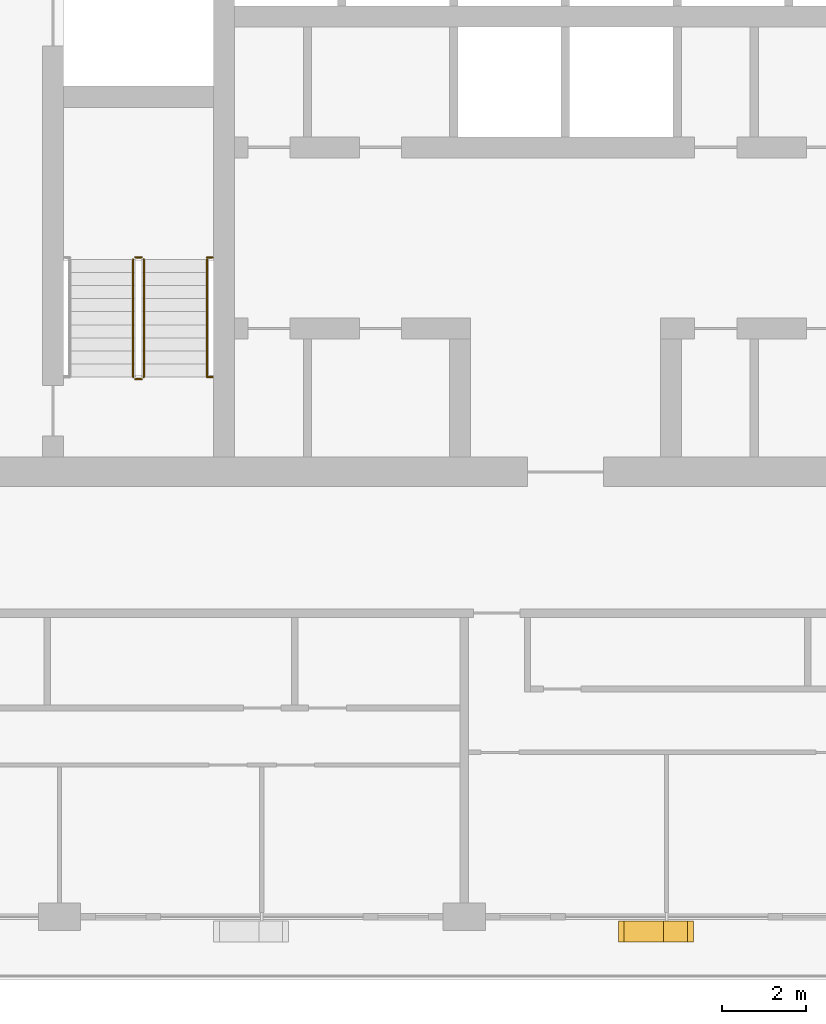
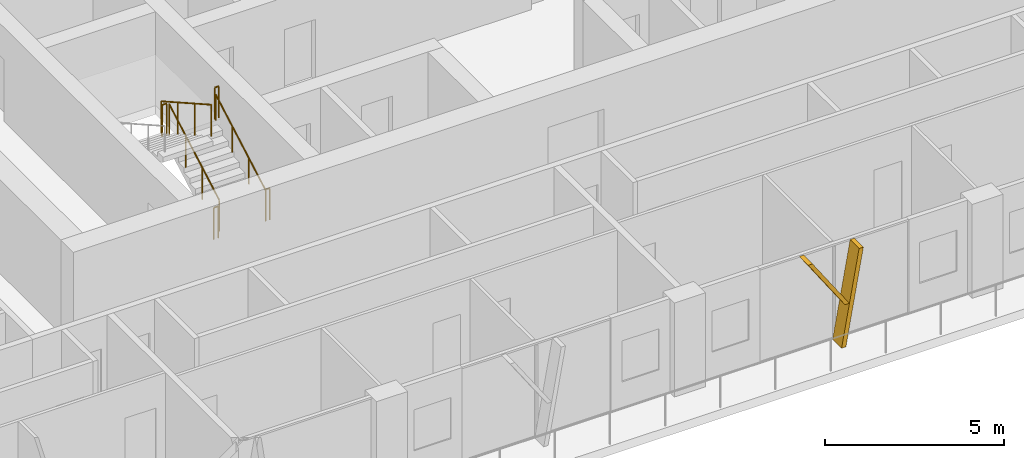
# One storey, part 18 of 23: 7 railings, 2 shading devices.
"""IFC4 building model written with IfcOpenShell, lengths in metres."""

from ifc_helpers import new_model, si_unit, direction, frame, origin, origin_2d, place, context, subcontext, project, spatial, polyline, circle, outline, extrude, material, type_object, element, save


model = new_model("IFC4")

# Units and contexts
model_context = context("Model", 3, precision=1e-05, world=origin(), true_north=direction((0.0, 1.0)))
body_context = subcontext(model_context, "Body", "Model", "MODEL_VIEW")
ifc_project = project(units=[si_unit("LENGTHUNIT", "METRE"), si_unit("AREAUNIT", "SQUARE_METRE"), si_unit("VOLUMEUNIT", "CUBIC_METRE"), si_unit("PLANEANGLEUNIT", "RADIAN"), si_unit("MASSUNIT", "GRAM", prefix="KILO")], contexts=[model_context])

# Site, building, storey
site_placement = place(None, origin())
site = spatial("IfcSite", under=ifc_project, at=site_placement, CompositionType="ELEMENT")
building_placement = place(site_placement, origin())
building = spatial("IfcBuilding", under=site, at=building_placement, Name="Madar Terraces", CompositionType="ELEMENT")
storey_placement = place(building_placement, frame((0.0, 0.0, 222.800048828125)))
storey = spatial("IfcBuildingStorey", under=building, at=storey_placement, Name="L58", CompositionType="ELEMENT", Elevation=222.800048828125)

# Shading devices
ifc_material_1 = material(Name="Aluminium, black anodised", Category="aluminium")
shading_device_type = type_object("IfcShadingDeviceType", Name="Facade fin blade 140 x 500", PredefinedType="USERDEFINED", material=ifc_material_1)
shading_device_1_placement = place(storey_placement, frame((33.530029296875, 4.449951171875, 0.0), z_axis=(0.0, 0.0, 1.0), x_axis=(1.0, 0.0, 0.0)))
element("IfcShadingDevice", 1, at=shading_device_1_placement, inside=storey, type_object=shading_device_type, Name="FIN L58 S3", ObjectType="FIN", PredefinedType="USERDEFINED", context=body_context, shape_type="SweptSolid", body=[
    extrude(outline(polyline([(0.0, 0.0), (0.139892578125, 0.0), (0.704345703125, 3.199951171875), (0.564208984375, 3.199951171875), (0.0, 0.0)])), frame((0.0, 0.25, 0.0), z_axis=(0.0, -1.0, 0.0), x_axis=(1.0, 0.0, 0.0)), (0.0, 0.0, 1.0), 0.5),
])
shading_device_2_placement = place(storey_placement, frame((33.643798828125, 4.449951171875, 1.43994140625), z_axis=(0.0, 0.0, 1.0), x_axis=(1.0, 0.0, 0.0)))
element("IfcShadingDevice", 2, at=shading_device_2_placement, inside=storey, type_object=shading_device_type, Name="FIN L58 S3 branch", ObjectType="FIN", PredefinedType="USERDEFINED", context=body_context, shape_type="SweptSolid", body=[
    extrude(outline(polyline([(0.0, 0.0), (0.14013671875, 0.0), (-1.049560546875, 1.760009765625), (-1.189697265625, 1.760009765625), (0.0, 0.0)])), frame((0.0, 0.25, 0.0), z_axis=(0.0, -1.0, 0.0), x_axis=(1.0, 0.0, 0.0)), (0.0, 0.0, 1.0), 0.5),
])

# Railings
ifc_material_2 = material(Name="Stainless steel railing", Category="steel")
railing_type_1 = type_object("IfcRailingType", Name="Stair guard 1100", PredefinedType="GUARDRAIL", material=ifc_material_2)
railing_1_placement = place(storey_placement, frame((21.199951171875, 17.60009765625, 0.175048828125)))
element("IfcRailing", 3, at=railing_1_placement, inside=storey, type_object=railing_type_1, Name="L58 ST1 stair guard 1", PredefinedType="GUARDRAIL", context=body_context, shape_type="SweptSolid", body=[
    extrude(circle(Radius=0.02392578125, at=origin_2d()), frame((0.0, 0.0, 1.076171875), z_axis=(0.0, 0.870815363784, 0.491610213684), x_axis=(-1.0, 0.0, 0.0)), (0.0, 0.0, 1.0), 3.20361328125),
    extrude(circle(Radius=0.02099609375, at=origin_2d()), origin(), (0.0, 0.0, 1.0), 1.052001953125),
    extrude(circle(Radius=0.02099609375, at=origin_2d()), frame((0.0, 0.929931640625, 0.52490234375)), (0.0, 0.0, 1.0), 1.052001953125),
    extrude(circle(Radius=0.02099609375, at=origin_2d()), frame((0.0, 1.85986328125, 1.050048828125)), (0.0, 0.0, 1.0), 1.052001953125),
    extrude(circle(Radius=0.02099609375, at=origin_2d()), frame((0.0, 2.789794921875, 1.574951171875)), (0.0, 0.0, 1.0), 1.052001953125),
])
railing_2_placement = place(storey_placement, frame((21.14990234375, 20.43994140625, 1.75)))
element("IfcRailing", 4, at=railing_2_placement, inside=storey, type_object=railing_type_1, Name="L58 ST1 stair guard 2", PredefinedType="GUARDRAIL", context=body_context, shape_type="SweptSolid", body=[
    extrude(circle(Radius=0.02392578125, at=origin_2d()), frame((0.0, 0.0, 1.076171875), z_axis=(-1.0, 0.0, 0.0), x_axis=(0.0, -1.0, 0.0)), (0.0, 0.0, 1.0), 0.14990234375),
    extrude(circle(Radius=0.02099609375, at=origin_2d()), origin(), (0.0, 0.0, 1.0), 1.052001953125),
    extrude(circle(Radius=0.02099609375, at=origin_2d()), frame((-0.14990234375, 0.0, 0.0)), (0.0, 0.0, 1.0), 1.052001953125),
])
railing_3_placement = place(storey_placement, frame((20.949951171875, 20.389892578125, 1.925048828125)))
element("IfcRailing", 5, at=railing_3_placement, inside=storey, type_object=railing_type_1, Name="L58 ST1 stair guard 3", PredefinedType="GUARDRAIL", context=body_context, shape_type="SweptSolid", body=[
    extrude(circle(Radius=0.02392578125, at=origin_2d()), frame((0.0, 0.0, 1.076171875), z_axis=(0.0, -0.870815363784, 0.491610213684), x_axis=(1.0, 0.0, 0.0)), (0.0, 0.0, 1.0), 3.20361328125),
    extrude(circle(Radius=0.02099609375, at=origin_2d()), origin(), (0.0, 0.0, 1.0), 1.052001953125),
    extrude(circle(Radius=0.02099609375, at=origin_2d()), frame((0.0, -0.929931640625, 0.52490234375)), (0.0, 0.0, 1.0), 1.052001953125),
    extrude(circle(Radius=0.02099609375, at=origin_2d()), frame((0.0, -1.85986328125, 1.050048828125)), (0.0, 0.0, 1.0), 1.052001953125),
    extrude(circle(Radius=0.02099609375, at=origin_2d()), frame((0.0, -2.789794921875, 1.574951171875)), (0.0, 0.0, 1.0), 1.052001953125),
])
railing_4_placement = place(storey_placement, frame((21.14990234375, 17.550048828125, 0.0)))
element("IfcRailing", 6, at=railing_4_placement, inside=storey, type_object=railing_type_1, Name="L58 ST1 stair guard 4", PredefinedType="GUARDRAIL", context=body_context, shape_type="SweptSolid", body=[
    extrude(circle(Radius=0.02392578125, at=origin_2d()), frame((0.0, 0.0, 1.076171875), z_axis=(-1.0, 0.0, 0.0), x_axis=(0.0, -1.0, 0.0)), (0.0, 0.0, 1.0), 0.14990234375),
    extrude(circle(Radius=0.02099609375, at=origin_2d()), origin(), (0.0, 0.0, 1.0), 1.052001953125),
    extrude(circle(Radius=0.02099609375, at=origin_2d()), frame((-0.14990234375, 0.0, 0.0)), (0.0, 0.0, 1.0), 1.052001953125),
])
for number, where, name in (
    (7, (22.699951171875, 20.43994140625, 1.75), "L58 stair guard seat 2"),
    (8, (22.699951171875, 17.60009765625, 0.0), "L58 stair guard floor 2"),
):
    element("IfcRailing", number, at=place(storey_placement, frame(where)), inside=storey, type_object=railing_type_1, Name=name, PredefinedType="GUARDRAIL", context=body_context, shape_type="SweptSolid", body=[
        extrude(circle(Radius=0.02392578125, at=origin_2d()), frame((0.0, 0.0, 1.076171875), z_axis=(1.0, 0.0, 0.0), x_axis=(0.0, 1.0, 0.0)), (0.0, 0.0, 1.0), 0.130126953125),
        extrude(circle(Radius=0.02099609375, at=origin_2d()), origin(), (0.0, 0.0, 1.0), 1.052001953125),
        extrude(circle(Radius=0.02099609375, at=origin_2d()), frame((0.130126953125, 0.0, 0.0)), (0.0, 0.0, 1.0), 1.052001953125),
    ])
ifc_material_3 = material(Name="Stainless steel railing", Category="steel")
railing_type_2 = type_object("IfcRailingType", Name="Stair handrail 900", PredefinedType="HANDRAIL", material=ifc_material_3)
railing_5_placement = place(storey_placement, frame((22.699951171875, 17.60009765625, 0.175048828125)))
element("IfcRailing", 9, at=railing_5_placement, inside=storey, type_object=railing_type_2, Name="L58 ST1 stair handrail 1", PredefinedType="HANDRAIL", context=body_context, shape_type="SweptSolid", body=[
    extrude(circle(Radius=0.02392578125, at=origin_2d()), frame((0.0, 0.0, 0.8759765625), z_axis=(0.0, 0.870815363784, 0.491610213684), x_axis=(-1.0, 0.0, 0.0)), (0.0, 0.0, 1.0), 3.20361328125),
    extrude(circle(Radius=0.02099609375, at=origin_2d()), origin(), (0.0, 0.0, 1.0), 0.851806640625),
    extrude(circle(Radius=0.02099609375, at=origin_2d()), frame((0.0, 0.929931640625, 0.52490234375)), (0.0, 0.0, 1.0), 0.851806640625),
    extrude(circle(Radius=0.02099609375, at=origin_2d()), frame((0.0, 1.85986328125, 1.050048828125)), (0.0, 0.0, 1.0), 0.851806640625),
    extrude(circle(Radius=0.02099609375, at=origin_2d()), frame((0.0, 2.789794921875, 1.574951171875)), (0.0, 0.0, 1.0), 0.851806640625),
])

save(model, "model.ifc")
